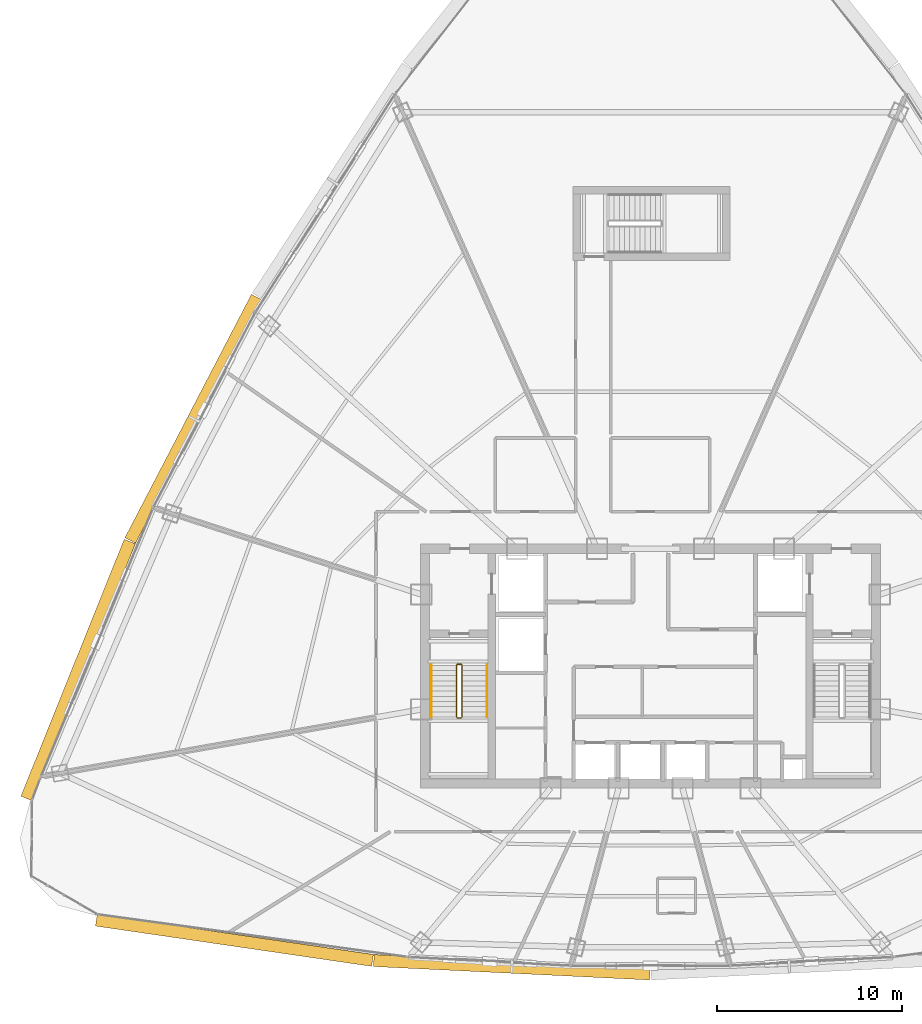
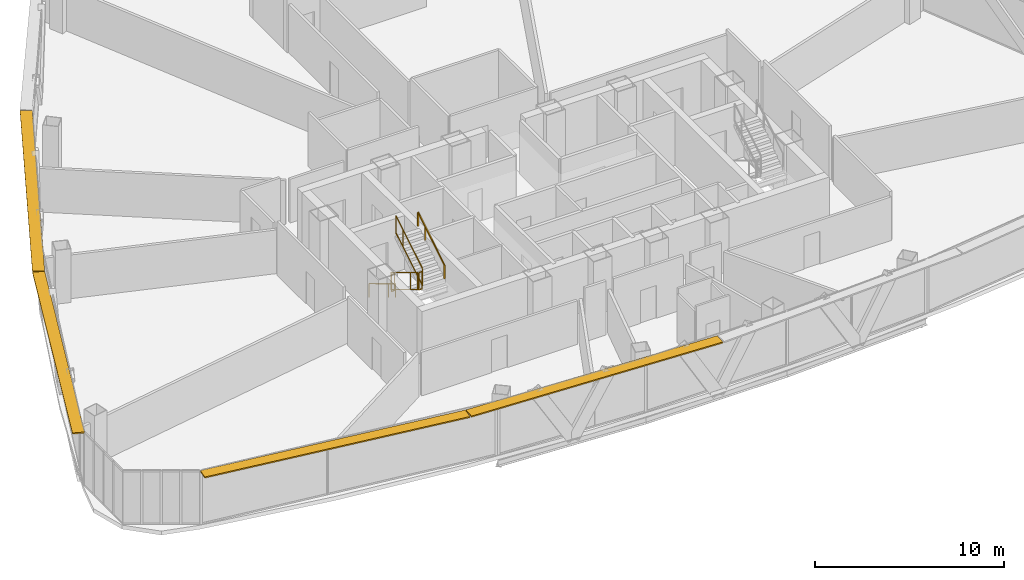
# One storey, part 33 of 36: 6 railings, 4 shading devices.
"""IFC4 building model written with IfcOpenShell, lengths in metres."""

from ifc_helpers import new_model, si_unit, direction, frame, origin, origin_2d, place, context, subcontext, project, spatial, rectangle, extrude, source, transform, mapped, material, layer, layer_set, type_object, element, save


model = new_model("IFC4")

# Units and contexts
model_context = context("Model", 3, precision=1e-05, world=origin(), true_north=direction((0.0, 1.0)))
body_context = subcontext(model_context, "Body", "Model", "MODEL_VIEW")
ifc_project = project(units=[si_unit("LENGTHUNIT", "METRE"), si_unit("AREAUNIT", "SQUARE_METRE"), si_unit("VOLUMEUNIT", "CUBIC_METRE"), si_unit("PLANEANGLEUNIT", "RADIAN"), si_unit("MASSUNIT", "GRAM", prefix="KILO"), si_unit("THERMODYNAMICTEMPERATUREUNIT", "KELVIN"), si_unit("POWERUNIT", "WATT")], contexts=[model_context])

# Site, building, storey
site_placement = place(None, origin())
site = spatial("IfcSite", under=ifc_project, at=site_placement, CompositionType="ELEMENT")
building_placement = place(site_placement, origin())
building = spatial("IfcBuilding", under=site, at=building_placement, Name="Yunzhuo Pagoda Commons", CompositionType="ELEMENT")
storey_placement = place(building_placement, frame((0.0, 0.0, 263.179931640625)))
storey = spatial("IfcBuildingStorey", under=building, at=storey_placement, Name="L66", CompositionType="ELEMENT", Elevation=263.179931640625)

# Railings
ifc_material = material(Name="Anodized aluminium 6063-T6", Category="aluminium")
railing_type_1 = type_object("IfcRailingType", Name="GR-ST1 Stair Well Guardrail 1150", PredefinedType="GUARDRAIL", material=ifc_material)
railing_1_placement = place(storey_placement, frame((37.5, 33.89990234375, 0.169677734375)))
element("IfcRailing", 1, at=railing_1_placement, inside=storey, type_object=railing_type_1, Name="L66 ST1 stair guard 1", PredefinedType="GUARDRAIL", context=body_context, shape_type="SweptSolid", body=[
    extrude(rectangle(XDim=0.048095703125, YDim=0.048095703125, at=origin_2d()), frame((0.0, 0.0, 1.1259765625), z_axis=(0.0, -0.855406155521, 0.517957825596), x_axis=(1.0, 0.0, 0.0)), (0.0, 0.0, 1.0), 3.27294921875),
    extrude(rectangle(XDim=0.048095703125, YDim=0.048095703125, at=origin_2d()), frame((0.0, 0.0, 0.02392578125), z_axis=(0.0, -0.855406155521, 0.517957825596), x_axis=(1.0, 0.0, 0.0)), (0.0, 0.0, 1.0), 3.27294921875),
    extrude(rectangle(XDim=0.0419921875, YDim=0.0419921875, at=origin_2d()), origin(), (0.0, 0.0, 1.0), 1.101806640625),
    extrude(rectangle(XDim=0.0419921875, YDim=0.0419921875, at=origin_2d()), frame((0.0, -2.052978515625, 1.2431640625)), (0.0, 0.0, 1.0), 1.101806640625),
    extrude(rectangle(XDim=0.0419921875, YDim=0.0419921875, at=origin_2d()), frame((0.0, -2.7998046875, 1.6953125)), (0.0, 0.0, 1.0), 1.101806640625),
])
railing_2_placement = place(storey_placement, frame((37.550048828125, 31.050048828125, 1.864990234375)))
element("IfcRailing", 2, at=railing_2_placement, inside=storey, type_object=railing_type_1, Name="L66 ST1 stair guard 2", PredefinedType="GUARDRAIL", context=body_context, shape_type="SweptSolid", body=[
    extrude(rectangle(XDim=0.048095703125, YDim=0.048095703125, at=origin_2d()), frame((0.0, 0.0, 1.1259765625), z_axis=(1.0, 0.0, 0.0), x_axis=(0.0, 1.0, 0.0)), (0.0, 0.0, 1.0), 0.199951171875),
    extrude(rectangle(XDim=0.048095703125, YDim=0.048095703125, at=origin_2d()), frame((0.0, 0.0, 0.02392578125), z_axis=(1.0, 0.0, 0.0), x_axis=(0.0, 1.0, 0.0)), (0.0, 0.0, 1.0), 0.199951171875),
    extrude(rectangle(XDim=0.0419921875, YDim=0.0419921875, at=origin_2d()), origin(), (0.0, 0.0, 1.0), 1.101806640625),
    extrude(rectangle(XDim=0.0419921875, YDim=0.0419921875, at=origin_2d()), frame((0.199951171875, 0.0, 0.0)), (0.0, 0.0, 1.0), 1.101806640625),
])
railing_3_placement = place(storey_placement, frame((37.800048828125, 31.10009765625, 2.03466796875)))
element("IfcRailing", 3, at=railing_3_placement, inside=storey, type_object=railing_type_1, Name="L66 ST1 stair guard 3", PredefinedType="GUARDRAIL", context=body_context, shape_type="SweptSolid", body=[
    extrude(rectangle(XDim=0.048095703125, YDim=0.048095703125, at=origin_2d()), frame((0.0, 0.0, 1.1259765625), z_axis=(0.0, 0.855406155521, 0.517957825596), x_axis=(-1.0, 0.0, 0.0)), (0.0, 0.0, 1.0), 3.27294921875),
    extrude(rectangle(XDim=0.048095703125, YDim=0.048095703125, at=origin_2d()), frame((0.0, 0.0, 0.02392578125), z_axis=(0.0, 0.855406155521, 0.517957825596), x_axis=(-1.0, 0.0, 0.0)), (0.0, 0.0, 1.0), 3.27294921875),
    extrude(rectangle(XDim=0.0419921875, YDim=0.0419921875, at=origin_2d()), origin(), (0.0, 0.0, 1.0), 1.101806640625),
    extrude(rectangle(XDim=0.0419921875, YDim=0.0419921875, at=origin_2d()), frame((0.0, 2.052978515625, 1.2431640625)), (0.0, 0.0, 1.0), 1.101806640625),
    extrude(rectangle(XDim=0.0419921875, YDim=0.0419921875, at=origin_2d()), frame((0.0, 2.7998046875, 1.6953125)), (0.0, 0.0, 1.0), 1.101806640625),
])
railing_4_placement = place(storey_placement, frame((37.550048828125, 33.949951171875, 0.0)))
element("IfcRailing", 4, at=railing_4_placement, inside=storey, type_object=railing_type_1, Name="L66 ST1 stair guard 4", PredefinedType="GUARDRAIL", context=body_context, shape_type="SweptSolid", body=[
    extrude(rectangle(XDim=0.048095703125, YDim=0.048095703125, at=origin_2d()), frame((0.0, 0.0, 1.1259765625), z_axis=(1.0, 0.0, 0.0), x_axis=(0.0, 1.0, 0.0)), (0.0, 0.0, 1.0), 0.199951171875),
    extrude(rectangle(XDim=0.048095703125, YDim=0.048095703125, at=origin_2d()), frame((0.0, 0.0, 0.02392578125), z_axis=(1.0, 0.0, 0.0), x_axis=(0.0, 1.0, 0.0)), (0.0, 0.0, 1.0), 0.199951171875),
    extrude(rectangle(XDim=0.0419921875, YDim=0.0419921875, at=origin_2d()), origin(), (0.0, 0.0, 1.0), 1.101806640625),
    extrude(rectangle(XDim=0.0419921875, YDim=0.0419921875, at=origin_2d()), frame((0.199951171875, 0.0, 0.0)), (0.0, 0.0, 1.0), 1.101806640625),
])
railing_type_2 = type_object("IfcRailingType", Name="HR-ST1 Stair Handrail 900", PredefinedType="HANDRAIL", material=ifc_material)
railing_5_placement = place(storey_placement, frame((36.14990234375, 33.89990234375, 0.169677734375)))
element("IfcRailing", 5, at=railing_5_placement, inside=storey, type_object=railing_type_2, Name="L66 ST1 stair handrail 1", PredefinedType="HANDRAIL", context=body_context, shape_type="SweptSolid", body=[
    extrude(rectangle(XDim=0.048095703125, YDim=0.048095703125, at=origin_2d()), frame((0.0, 0.0, 0.8759765625), z_axis=(0.0, -0.855406155521, 0.517957825596), x_axis=(1.0, 0.0, 0.0)), (0.0, 0.0, 1.0), 3.27294921875),
    extrude(rectangle(XDim=0.0419921875, YDim=0.0419921875, at=origin_2d()), origin(), (0.0, 0.0, 1.0), 0.851806640625),
    extrude(rectangle(XDim=0.0419921875, YDim=0.0419921875, at=origin_2d()), frame((0.0, -2.052978515625, 1.2431640625)), (0.0, 0.0, 1.0), 0.851806640625),
    extrude(rectangle(XDim=0.0419921875, YDim=0.0419921875, at=origin_2d()), frame((0.0, -2.7998046875, 1.6953125)), (0.0, 0.0, 1.0), 0.851806640625),
])
railing_6_placement = place(storey_placement, frame((39.14990234375, 31.10009765625, 2.03466796875)))
element("IfcRailing", 6, at=railing_6_placement, inside=storey, type_object=railing_type_2, Name="L66 ST1 stair handrail 2", PredefinedType="HANDRAIL", context=body_context, shape_type="SweptSolid", body=[
    extrude(rectangle(XDim=0.048095703125, YDim=0.048095703125, at=origin_2d()), frame((0.0, 0.0, 0.8759765625), z_axis=(0.0, 0.855406155521, 0.517957825596), x_axis=(-1.0, 0.0, 0.0)), (0.0, 0.0, 1.0), 3.27294921875),
    extrude(rectangle(XDim=0.0419921875, YDim=0.0419921875, at=origin_2d()), origin(), (0.0, 0.0, 1.0), 0.851806640625),
    extrude(rectangle(XDim=0.0419921875, YDim=0.0419921875, at=origin_2d()), frame((0.0, 2.052978515625, 1.2431640625)), (0.0, 0.0, 1.0), 0.851806640625),
    extrude(rectangle(XDim=0.0419921875, YDim=0.0419921875, at=origin_2d()), frame((0.0, 2.7998046875, 1.6953125)), (0.0, 0.0, 1.0), 0.851806640625),
])

# Shading devices
ifc_layer = layer(ifc_material, 0.080078125)
ifc_layer_set = layer_set([ifc_layer], Name="Anodized aluminium 6063-T6")
shading_device_type = type_object("IfcShadingDeviceType", Name="SH-SUN1 Pagoda Horizontal Sunshade Eave 650", PredefinedType="USERDEFINED", material=ifc_layer_set)
shared_shape_1 = source(origin(), body_context, "Body", "SweptSolid", [
    extrude(rectangle(XDim=15.102294921875, YDim=0.64990234375, at=origin_2d()), origin(), (0.0, 0.0, 1.0), 0.080078125),
])
shading_device_1_placement = place(storey_placement, frame((25.489990234375, 19.023193359375, 3.39013671875), z_axis=(0.0, 0.0, 1.0), x_axis=(0.989510666697, -0.144459823108, 0.0)))
element("IfcShadingDevice", 7, at=shading_device_1_placement, inside=storey, type_object=shading_device_type, Name="L66 horizontal pagoda sunshade eave F1.1", ObjectType="SUNSHADE", PredefinedType="USERDEFINED", context=body_context, shape_type="MappedRepresentation", body=[
    mapped(shared_shape_1, transform((0.0, 0.0, 0.0), scale=1.0)),
])
shared_shape_2 = source(origin(), body_context, "Body", "SweptSolid", [
    extrude(rectangle(XDim=14.961181640625, YDim=0.64990234375, at=origin_2d()), origin(), (0.0, 0.0, 1.0), 0.080078125),
])
shading_device_2_placement = place(storey_placement, frame((40.49658203125, 17.5625, 3.39013671875), z_axis=(0.0, 0.0, 1.0), x_axis=(0.998818043775, -0.04860571396, 0.0)))
element("IfcShadingDevice", 8, at=shading_device_2_placement, inside=storey, type_object=shading_device_type, Name="L66 horizontal pagoda sunshade eave F1.2", ObjectType="SUNSHADE", PredefinedType="USERDEFINED", context=body_context, shape_type="MappedRepresentation", body=[
    mapped(shared_shape_2, transform((0.0, 0.0, 0.0), scale=1.0)),
])
shared_shape_3 = source(origin(), body_context, "Body", "SweptSolid", [
    extrude(rectangle(XDim=14.98095703125, YDim=0.64990234375, at=origin_2d()), origin(), (0.0, 0.0, 1.0), 0.080078125),
])
shading_device_3_placement = place(storey_placement, frame((17.0322265625, 33.64599609375, 3.39013671875), z_axis=(0.0, 0.0, 1.0), x_axis=(-0.372987782576, -0.927836253899, 0.0)))
element("IfcShadingDevice", 9, at=shading_device_3_placement, inside=storey, type_object=shading_device_type, Name="L66 horizontal pagoda sunshade eave F3.4", ObjectType="SUNSHADE", PredefinedType="USERDEFINED", context=body_context, shape_type="MappedRepresentation", body=[
    mapped(shared_shape_3, transform((0.0, 0.0, 0.0), scale=1.0)),
])
shared_shape_4 = source(origin(), body_context, "Body", "SweptSolid", [
    extrude(rectangle(XDim=14.838623046875, YDim=0.64990234375, at=origin_2d()), origin(), (0.0, 0.0, 1.0), 0.080078125),
])
shading_device_4_placement = place(storey_placement, frame((23.2744140625, 47.236572265625, 3.39013671875), z_axis=(0.0, 0.0, 1.0), x_axis=(-0.461206683033, -0.88729273384, 0.0)))
element("IfcShadingDevice", 10, at=shading_device_4_placement, inside=storey, type_object=shading_device_type, Name="L66 horizontal pagoda sunshade eave F3.3", ObjectType="SUNSHADE", PredefinedType="USERDEFINED", context=body_context, shape_type="MappedRepresentation", body=[
    mapped(shared_shape_4, transform((0.0, 0.0, 0.0), scale=1.0)),
])

save(model, "model.ifc")
